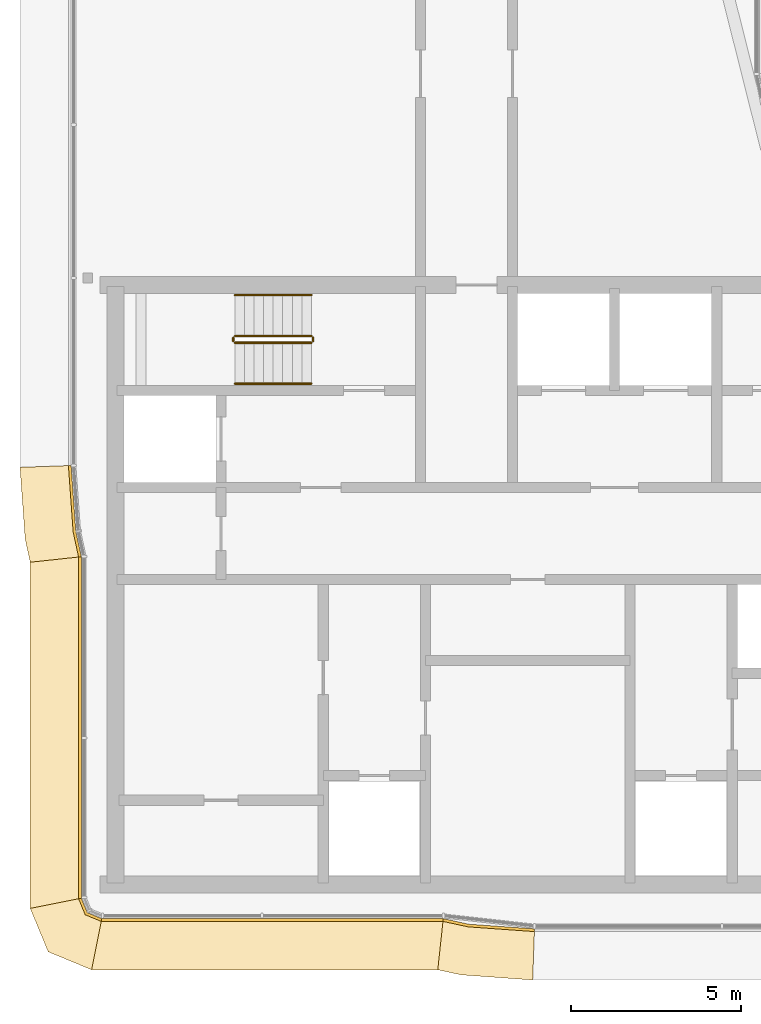
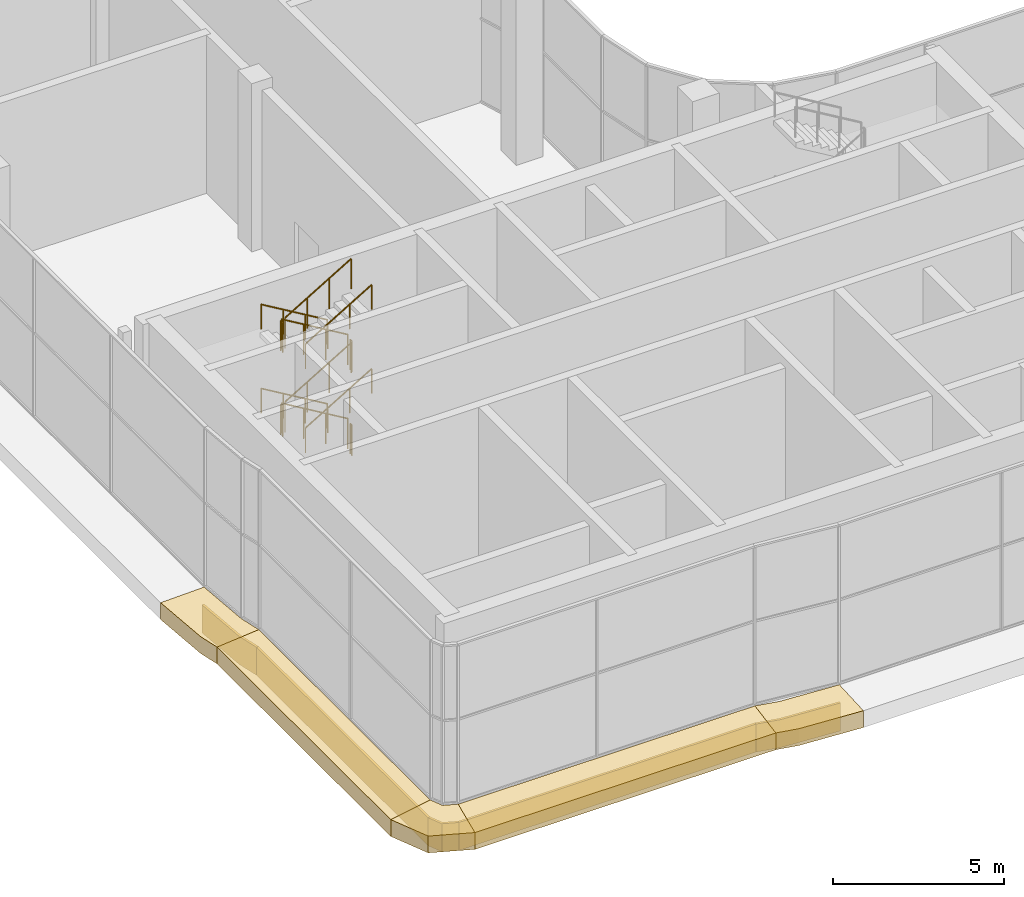
# One storey, part 18 of 23: 12 railings, 10 coverings.
"""IFC4 building model written with IfcOpenShell, lengths in metres."""

import ifcopenshell
import ifcopenshell.guid

model = None  # the IFC model being written
_history = None  # IfcOwnerHistory: only IFC2X3 demands one
_inside = {}  # id of a spatial element -> (the spatial element, [elements in it])
_under = {}  # id of a project, library or spatial element -> (it, [spatial elements below it])
_declared = {}  # id of a project -> (the project, [libraries it declares])
_typed = {}  # id of a type object -> (the type object, [elements of that type])
_made_of = {}  # id of a material, layer set ... -> (it, [elements and type objects made of it])


def new_model(schema):
    """Start an empty IFC model of exactly this schema.

    Asked for "IFC4X3", IfcOpenShell would pick the latest addendum, in which some entities
    have other attributes; the version numbers below select the first issue.
    IFC2X3 requires an IfcOwnerHistory on every rooted entity: one is made here for all.
    """
    global model, _history
    if schema == "IFC4X3":
        model = ifcopenshell.file(schema_version=(4, 3, 0, 0))
    else:
        model = ifcopenshell.file(schema=schema)
    _inside.clear()
    _under.clear()
    _declared.clear()
    _typed.clear()
    _made_of.clear()
    _history = None
    if model.schema == "IFC2X3":
        org = make("IfcOrganization", Name="unknown")
        user = make(
            "IfcPersonAndOrganization",
            ThePerson=make("IfcPerson", FamilyName="unknown"),
            TheOrganization=org,
        )
        app = make(
            "IfcApplication",
            ApplicationDeveloper=org,
            Version="unknown",
            ApplicationFullName="unknown",
            ApplicationIdentifier="unknown",
        )
        _history = make(
            "IfcOwnerHistory",
            OwningUser=user,
            OwningApplication=app,
            ChangeAction="ADDED",
            CreationDate=0,
        )
    return model


def make(cls, **values):
    """One entity of the class cls with the attributes given. An attribute that is None is left unset."""
    return model.create_entity(
        cls, **{name: value for name, value in values.items() if value is not None}
    )


def rooted(cls, **values):
    """An entity with a GlobalId (a new one), such as an element, a storey or a relation."""
    return make(cls, GlobalId=ifcopenshell.guid.new(), OwnerHistory=_history, **values)


def si_unit(unit_type, name, prefix=None):
    """IfcSIUnit, for example si_unit("LENGTHUNIT", "METRE", prefix="MILLI")."""
    return make("IfcSIUnit", UnitType=unit_type, Prefix=prefix, Name=name)


def assignment(units):
    """IfcUnitAssignment: the units of a project."""
    return None if units is None else make("IfcUnitAssignment", Units=units)


def point(xyz):
    """IfcCartesianPoint."""
    return None if xyz is None else make("IfcCartesianPoint", Coordinates=xyz)


def direction(xyz):
    """IfcDirection."""
    return None if xyz is None else make("IfcDirection", DirectionRatios=xyz)


def frame(location, z_axis=None, x_axis=None):
    """IfcAxis2Placement3D, a coordinate frame: its origin and axes. An axis left out is left unset."""
    return make(
        "IfcAxis2Placement3D",
        Location=point(location),
        Axis=direction(z_axis),
        RefDirection=direction(x_axis),
    )


def frame_2d(location, x_axis=None):
    """IfcAxis2Placement2D, a coordinate frame in the plane: its origin and x axis."""
    return make(
        "IfcAxis2Placement2D", Location=point(location), RefDirection=direction(x_axis)
    )


def origin():
    """The frame at (0, 0, 0) with its axes left unset."""
    return frame((0.0, 0.0, 0.0))


def origin_2d():
    """The frame at (0, 0) in the plane with its x axis left unset."""
    return frame_2d((0.0, 0.0))


def place(relative_to, where):
    """IfcLocalPlacement: puts the frame where relative to a parent placement (None: the world)."""
    return make(
        "IfcLocalPlacement", PlacementRelTo=relative_to, RelativePlacement=where
    )


def context(
    kind, dimensions, precision=None, world=None, true_north=None, identifier=None
):
    """IfcGeometricRepresentationContext, for example the 3D "Model" context."""
    return make(
        "IfcGeometricRepresentationContext",
        ContextIdentifier=identifier,
        ContextType=kind,
        CoordinateSpaceDimension=dimensions,
        Precision=precision,
        WorldCoordinateSystem=world,
        TrueNorth=true_north,
    )


def subcontext(parent, identifier, kind, view, scale=None):
    """IfcGeometricRepresentationSubContext, for example "Body" below "Model"."""
    return make(
        "IfcGeometricRepresentationSubContext",
        ContextIdentifier=identifier,
        ContextType=kind,
        ParentContext=parent,
        TargetScale=scale,
        TargetView=view,
    )


def project(units=None, contexts=None):
    """IfcProject with its units and contexts."""
    return rooted(
        "IfcProject",
        Name="project",
        RepresentationContexts=contexts,
        UnitsInContext=assignment(units),
    )


def spatial(cls, under=None, at=None, **own):
    """A site, building, storey or space (cls), placed at a placement, below another one or the project."""
    s = rooted(cls, ObjectPlacement=at, **own)
    if under is not None:
        _under.setdefault(under.id(), (under, []))[1].append(s)
    return s


def polyline(points):
    """IfcPolyline through the points."""
    return make("IfcPolyline", Points=[point(p) for p in points])


def profile(cls, at=None, kind="AREA", **sizes):
    """A parametric profile (cls). Its sizes go by their IFC names, for example OverallWidth=200.0."""
    return make(cls, ProfileType=kind, Position=at, **sizes)


def circle(**sizes):
    """IfcCircleProfileDef."""
    return profile("IfcCircleProfileDef", **sizes)


def outline(outer, holes=None, kind="AREA"):
    """IfcArbitraryClosedProfileDef: a profile drawn as a closed curve; with holes, ...WithVoids."""
    if holes is None:
        return make("IfcArbitraryClosedProfileDef", ProfileType=kind, OuterCurve=outer)
    return make(
        "IfcArbitraryProfileDefWithVoids",
        ProfileType=kind,
        OuterCurve=outer,
        InnerCurves=holes,
    )


def extrude(swept, where, along, depth):
    """IfcExtrudedAreaSolid: the profile swept, set in the frame where, extruded along a direction by depth."""
    return make(
        "IfcExtrudedAreaSolid",
        SweptArea=swept,
        Position=where,
        ExtrudedDirection=direction(along),
        Depth=depth,
    )


def shape(context_of_items, identifier, shape_type, items):
    """IfcShapeRepresentation: the items that make up one representation, for example the "Body"."""
    return make(
        "IfcShapeRepresentation",
        ContextOfItems=context_of_items,
        RepresentationIdentifier=identifier,
        RepresentationType=shape_type,
        Items=items,
    )


def material(Name=None, Category=None):
    """IfcMaterial."""
    return make("IfcMaterial", Name=Name, Category=Category)


def layer(
    of_material, thickness, ventilated=None, Name=None, Category=None, Priority=None
):
    """IfcMaterialLayer: one layer of a wall or slab, of a material (None: an air gap)."""
    return make(
        "IfcMaterialLayer",
        Material=of_material,
        LayerThickness=thickness,
        IsVentilated=ventilated,
        Name=Name,
        Category=Category,
        Priority=Priority,
    )


def layer_set(layers, Name=None):
    """IfcMaterialLayerSet."""
    return make("IfcMaterialLayerSet", MaterialLayers=layers, LayerSetName=Name)


def made_of(thing, what):
    """Note that an element or type object is made of a material, layer set ...; save() writes the relation."""
    if what is not None:
        _made_of.setdefault(what.id(), (what, []))[1].append(thing)
    return thing


def type_object(cls, material=None, **own):
    """A type object (cls), such as IfcWallType, which elements share."""
    return made_of(rooted(cls, **own), material)


def element(
    cls,
    number,
    at=None,
    inside=None,
    cuts=None,
    type_object=None,
    material=None,
    context=None,
    identifier="Body",
    shape_type=None,
    held_by="IfcProductDefinitionShape",
    body=None,
    shapes=None,
    **own,
):
    """One element of the class cls, such as IfcWall. Its Tag is "e" and its number.

    at: its placement. inside: the storey or other place that contains it. cuts: it is an
    opening in that element (IfcRelVoidsElement). A single representation is given by context,
    identifier, shape_type and body (its items); several are given by shapes. held_by: the class
    of the entity that holds the representations. save() writes the other relations.
    """
    e = rooted(cls, Tag="e%d" % number, ObjectPlacement=at, **own)
    if body is not None:
        shapes = [shape(context, identifier, shape_type, body)]
    if shapes is not None:
        e.Representation = make(held_by, Representations=shapes)
    if inside is not None:
        _inside.setdefault(inside.id(), (inside, []))[1].append(e)
    if cuts is not None:
        rooted(
            "IfcRelVoidsElement", RelatingBuildingElement=cuts, RelatedOpeningElement=e
        )
    if type_object is not None:
        _typed.setdefault(type_object.id(), (type_object, []))[1].append(e)
    return made_of(e, material)


def aggregate(whole, parts):
    """IfcRelAggregates: a whole, such as a stair, and the parts it consists of."""
    return rooted("IfcRelAggregates", RelatingObject=whole, RelatedObjects=parts)


def save(model, path):
    """Write the relations noted so far, then the file.

    IfcRelAggregates (storeys below a building ...), IfcRelContainedInSpatialStructure (elements
    in a storey), IfcRelDefinesByType, IfcRelAssociatesMaterial and IfcRelDeclares: one each for
    every whole, place, type object, material and project.
    """
    for whole, parts in _under.values():
        aggregate(whole, parts)
    for where, things in _inside.values():
        rooted(
            "IfcRelContainedInSpatialStructure",
            RelatedElements=things,
            RelatingStructure=where,
        )
    for kind, things in _typed.values():
        rooted("IfcRelDefinesByType", RelatedObjects=things, RelatingType=kind)
    for what, things in _made_of.values():
        rooted("IfcRelAssociatesMaterial", RelatedObjects=things, RelatingMaterial=what)
    for by, libraries in _declared.values():
        rooted("IfcRelDeclares", RelatingContext=by, RelatedDefinitions=libraries)
    model.write(path)


model = new_model("IFC4")

# Units and contexts
model_context = context("Model", 3, precision=1e-05, world=origin(), true_north=direction((0.0, 1.0)))
body_context = subcontext(model_context, "Body", "Model", "MODEL_VIEW")
ifc_project = project(units=[si_unit("LENGTHUNIT", "METRE"), si_unit("AREAUNIT", "SQUARE_METRE"), si_unit("VOLUMEUNIT", "CUBIC_METRE"), si_unit("PLANEANGLEUNIT", "RADIAN"), si_unit("MASSUNIT", "GRAM", prefix="KILO")], contexts=[model_context])

# Site, building, storey
site_placement = place(None, origin())
site = spatial("IfcSite", under=ifc_project, at=site_placement, CompositionType="ELEMENT")
building_placement = place(site_placement, origin())
building = spatial("IfcBuilding", under=site, at=building_placement, Name="Ogive Portal Towers", CompositionType="ELEMENT")
storey_placement = place(building_placement, frame((0.0, 0.0, 260.89990234375)))
storey = spatial("IfcBuildingStorey", under=building, at=storey_placement, Name="L64", CompositionType="ELEMENT", Elevation=260.89990234375)

# Railings
ifc_material_1 = material(Name="Stainless steel balustrade", Category="steel")
railing_type_1 = type_object("IfcRailingType", Name="INT-GUARD", PredefinedType="GUARDRAIL", material=ifc_material_1)
railing_1_placement = place(storey_placement, frame((37.449951171875, 37.800048828125, 0.166748046875)))
element("IfcRailing", 1, at=railing_1_placement, inside=storey, type_object=railing_type_1, Name="L64 ST-A1 stair guard 1", PredefinedType="GUARDRAIL", context=body_context, shape_type="SweptSolid", body=[
    extrude(circle(Radius=0.02392578125, at=origin_2d()), frame((0.0, 0.0, 1.076171875), z_axis=(-0.859305625298, 0.0, 0.511462454469), x_axis=(0.0, -1.0, 0.0)), (0.0, 0.0, 1.0), 2.606689453125),
    extrude(circle(Radius=0.02099609375, at=origin_2d()), origin(), (0.0, 0.0, 1.0), 1.052001953125),
    extrude(circle(Radius=0.02099609375, at=origin_2d()), frame((-0.74658203125, 0.0, 0.4443359375)), (0.0, 0.0, 1.0), 1.052001953125),
    extrude(circle(Radius=0.02099609375, at=origin_2d()), frame((-1.493408203125, 0.0, 0.888916015625)), (0.0, 0.0, 1.0), 1.052001953125),
    extrude(circle(Radius=0.02099609375, at=origin_2d()), frame((-2.239990234375, 0.0, 1.333251953125)), (0.0, 0.0, 1.0), 1.052001953125),
])
railing_2_placement = place(storey_placement, frame((35.159912109375, 37.75, 1.5)))
element("IfcRailing", 2, at=railing_2_placement, inside=storey, type_object=railing_type_1, Name="L64 ST-A1 stair guard 2", PredefinedType="GUARDRAIL", context=body_context, shape_type="SweptSolid", body=[
    extrude(circle(Radius=0.02392578125, at=origin_2d()), frame((0.0, 0.0, 1.076171875), z_axis=(0.0, -1.0, 0.0), x_axis=(1.0, 0.0, 0.0)), (0.0, 0.0, 1.0), 0.10009765625),
    extrude(circle(Radius=0.02099609375, at=origin_2d()), origin(), (0.0, 0.0, 1.0), 1.052001953125),
    extrude(circle(Radius=0.02099609375, at=origin_2d()), frame((0.0, -0.10009765625, 0.0)), (0.0, 0.0, 1.0), 1.052001953125),
])
railing_3_placement = place(storey_placement, frame((35.2099609375, 37.60009765625, 1.666748046875)))
element("IfcRailing", 3, at=railing_3_placement, inside=storey, type_object=railing_type_1, Name="L64 ST-A1 stair guard 3", PredefinedType="GUARDRAIL", context=body_context, shape_type="SweptSolid", body=[
    extrude(circle(Radius=0.02392578125, at=origin_2d()), frame((0.0, 0.0, 1.076171875), z_axis=(0.859305625298, 0.0, 0.511462454469), x_axis=(0.0, 1.0, 0.0)), (0.0, 0.0, 1.0), 2.606689453125),
    extrude(circle(Radius=0.02099609375, at=origin_2d()), origin(), (0.0, 0.0, 1.0), 1.052001953125),
    extrude(circle(Radius=0.02099609375, at=origin_2d()), frame((0.74658203125, 0.0, 0.4443359375)), (0.0, 0.0, 1.0), 1.052001953125),
    extrude(circle(Radius=0.02099609375, at=origin_2d()), frame((1.493408203125, 0.0, 0.888916015625)), (0.0, 0.0, 1.0), 1.052001953125),
    extrude(circle(Radius=0.02099609375, at=origin_2d()), frame((2.239990234375, 0.0, 1.333251953125)), (0.0, 0.0, 1.0), 1.052001953125),
])
railing_4_placement = place(storey_placement, frame((37.5, 37.75, 3.0)))
element("IfcRailing", 4, at=railing_4_placement, inside=storey, type_object=railing_type_1, Name="L64 ST-A1 stair guard 4", PredefinedType="GUARDRAIL", context=body_context, shape_type="SweptSolid", body=[
    extrude(circle(Radius=0.02392578125, at=origin_2d()), frame((0.0, 0.0, 1.076171875), z_axis=(0.0, -1.0, 0.0), x_axis=(1.0, 0.0, 0.0)), (0.0, 0.0, 1.0), 0.10009765625),
    extrude(circle(Radius=0.02099609375, at=origin_2d()), origin(), (0.0, 0.0, 1.0), 1.052001953125),
    extrude(circle(Radius=0.02099609375, at=origin_2d()), frame((0.0, -0.10009765625, 0.0)), (0.0, 0.0, 1.0), 1.052001953125),
])
railing_5_placement = place(storey_placement, frame((37.449951171875, 37.800048828125, 3.166748046875)))
element("IfcRailing", 5, at=railing_5_placement, inside=storey, type_object=railing_type_1, Name="L64 ST-A1 stair guard 5", PredefinedType="GUARDRAIL", context=body_context, shape_type="SweptSolid", body=[
    extrude(circle(Radius=0.02392578125, at=origin_2d()), frame((0.0, 0.0, 1.076171875), z_axis=(-0.859305625298, 0.0, 0.511462454469), x_axis=(0.0, -1.0, 0.0)), (0.0, 0.0, 1.0), 2.606689453125),
    extrude(circle(Radius=0.02099609375, at=origin_2d()), origin(), (0.0, 0.0, 1.0), 1.052001953125),
    extrude(circle(Radius=0.02099609375, at=origin_2d()), frame((-0.74658203125, 0.0, 0.4443359375)), (0.0, 0.0, 1.0), 1.052001953125),
    extrude(circle(Radius=0.02099609375, at=origin_2d()), frame((-1.493408203125, 0.0, 0.888916015625)), (0.0, 0.0, 1.0), 1.052001953125),
    extrude(circle(Radius=0.02099609375, at=origin_2d()), frame((-2.239990234375, 0.0, 1.333251953125)), (0.0, 0.0, 1.0), 1.052001953125),
])
railing_6_placement = place(storey_placement, frame((35.159912109375, 37.75, 4.5)))
element("IfcRailing", 6, at=railing_6_placement, inside=storey, type_object=railing_type_1, Name="L64 ST-A1 stair guard 6", PredefinedType="GUARDRAIL", context=body_context, shape_type="SweptSolid", body=[
    extrude(circle(Radius=0.02392578125, at=origin_2d()), frame((0.0, 0.0, 1.076171875), z_axis=(0.0, -1.0, 0.0), x_axis=(1.0, 0.0, 0.0)), (0.0, 0.0, 1.0), 0.10009765625),
    extrude(circle(Radius=0.02099609375, at=origin_2d()), origin(), (0.0, 0.0, 1.0), 1.052001953125),
    extrude(circle(Radius=0.02099609375, at=origin_2d()), frame((0.0, -0.10009765625, 0.0)), (0.0, 0.0, 1.0), 1.052001953125),
])
railing_7_placement = place(storey_placement, frame((35.2099609375, 37.60009765625, 4.666748046875)))
element("IfcRailing", 7, at=railing_7_placement, inside=storey, type_object=railing_type_1, Name="L64 ST-A1 stair guard 7", PredefinedType="GUARDRAIL", context=body_context, shape_type="SweptSolid", body=[
    extrude(circle(Radius=0.02392578125, at=origin_2d()), frame((0.0, 0.0, 1.076171875), z_axis=(0.859305625298, 0.0, 0.511462454469), x_axis=(0.0, 1.0, 0.0)), (0.0, 0.0, 1.0), 2.606689453125),
    extrude(circle(Radius=0.02099609375, at=origin_2d()), origin(), (0.0, 0.0, 1.0), 1.052001953125),
    extrude(circle(Radius=0.02099609375, at=origin_2d()), frame((0.74658203125, 0.0, 0.4443359375)), (0.0, 0.0, 1.0), 1.052001953125),
    extrude(circle(Radius=0.02099609375, at=origin_2d()), frame((1.493408203125, 0.0, 0.888916015625)), (0.0, 0.0, 1.0), 1.052001953125),
    extrude(circle(Radius=0.02099609375, at=origin_2d()), frame((2.239990234375, 0.0, 1.333251953125)), (0.0, 0.0, 1.0), 1.052001953125),
])
railing_8_placement = place(storey_placement, frame((37.5, 37.75, 0.0)))
element("IfcRailing", 8, at=railing_8_placement, inside=storey, type_object=railing_type_1, Name="L64 ST-A1 stair guard 8", PredefinedType="GUARDRAIL", context=body_context, shape_type="SweptSolid", body=[
    extrude(circle(Radius=0.02392578125, at=origin_2d()), frame((0.0, 0.0, 1.076171875), z_axis=(0.0, -1.0, 0.0), x_axis=(1.0, 0.0, 0.0)), (0.0, 0.0, 1.0), 0.10009765625),
    extrude(circle(Radius=0.02099609375, at=origin_2d()), origin(), (0.0, 0.0, 1.0), 1.052001953125),
    extrude(circle(Radius=0.02099609375, at=origin_2d()), frame((0.0, -0.10009765625, 0.0)), (0.0, 0.0, 1.0), 1.052001953125),
])
ifc_material_2 = material(Name="Stainless steel handrail", Category="steel")
railing_type_2 = type_object("IfcRailingType", Name="INT-HANDRAIL", PredefinedType="HANDRAIL", material=ifc_material_2)
railing_9_placement = place(storey_placement, frame((37.449951171875, 39.0, 0.166748046875)))
element("IfcRailing", 9, at=railing_9_placement, inside=storey, type_object=railing_type_2, Name="L64 ST-A1 stair handrail 1", PredefinedType="HANDRAIL", context=body_context, shape_type="SweptSolid", body=[
    extrude(circle(Radius=0.02392578125, at=origin_2d()), frame((0.0, 0.0, 0.8759765625), z_axis=(-0.859305625298, 0.0, 0.511462454469), x_axis=(0.0, -1.0, 0.0)), (0.0, 0.0, 1.0), 2.606689453125),
    extrude(circle(Radius=0.02099609375, at=origin_2d()), origin(), (0.0, 0.0, 1.0), 0.851806640625),
    extrude(circle(Radius=0.02099609375, at=origin_2d()), frame((-0.74658203125, 0.0, 0.4443359375)), (0.0, 0.0, 1.0), 0.851806640625),
    extrude(circle(Radius=0.02099609375, at=origin_2d()), frame((-1.493408203125, 0.0, 0.888916015625)), (0.0, 0.0, 1.0), 0.851806640625),
    extrude(circle(Radius=0.02099609375, at=origin_2d()), frame((-2.239990234375, 0.0, 1.333251953125)), (0.0, 0.0, 1.0), 0.851806640625),
])
railing_10_placement = place(storey_placement, frame((35.2099609375, 36.39990234375, 1.666748046875)))
element("IfcRailing", 10, at=railing_10_placement, inside=storey, type_object=railing_type_2, Name="L64 ST-A1 stair handrail 2", PredefinedType="HANDRAIL", context=body_context, shape_type="SweptSolid", body=[
    extrude(circle(Radius=0.02392578125, at=origin_2d()), frame((0.0, 0.0, 0.8759765625), z_axis=(0.859305625298, 0.0, 0.511462454469), x_axis=(0.0, 1.0, 0.0)), (0.0, 0.0, 1.0), 2.606689453125),
    extrude(circle(Radius=0.02099609375, at=origin_2d()), origin(), (0.0, 0.0, 1.0), 0.851806640625),
    extrude(circle(Radius=0.02099609375, at=origin_2d()), frame((0.74658203125, 0.0, 0.4443359375)), (0.0, 0.0, 1.0), 0.851806640625),
    extrude(circle(Radius=0.02099609375, at=origin_2d()), frame((1.493408203125, 0.0, 0.888916015625)), (0.0, 0.0, 1.0), 0.851806640625),
    extrude(circle(Radius=0.02099609375, at=origin_2d()), frame((2.239990234375, 0.0, 1.333251953125)), (0.0, 0.0, 1.0), 0.851806640625),
])
railing_11_placement = place(storey_placement, frame((37.449951171875, 39.0, 3.166748046875)))
element("IfcRailing", 11, at=railing_11_placement, inside=storey, type_object=railing_type_2, Name="L64 ST-A1 stair handrail 3", PredefinedType="HANDRAIL", context=body_context, shape_type="SweptSolid", body=[
    extrude(circle(Radius=0.02392578125, at=origin_2d()), frame((0.0, 0.0, 0.8759765625), z_axis=(-0.859305625298, 0.0, 0.511462454469), x_axis=(0.0, -1.0, 0.0)), (0.0, 0.0, 1.0), 2.606689453125),
    extrude(circle(Radius=0.02099609375, at=origin_2d()), origin(), (0.0, 0.0, 1.0), 0.851806640625),
    extrude(circle(Radius=0.02099609375, at=origin_2d()), frame((-0.74658203125, 0.0, 0.4443359375)), (0.0, 0.0, 1.0), 0.851806640625),
    extrude(circle(Radius=0.02099609375, at=origin_2d()), frame((-1.493408203125, 0.0, 0.888916015625)), (0.0, 0.0, 1.0), 0.851806640625),
    extrude(circle(Radius=0.02099609375, at=origin_2d()), frame((-2.239990234375, 0.0, 1.333251953125)), (0.0, 0.0, 1.0), 0.851806640625),
])
railing_12_placement = place(storey_placement, frame((35.2099609375, 36.39990234375, 4.666748046875)))
element("IfcRailing", 12, at=railing_12_placement, inside=storey, type_object=railing_type_2, Name="L64 ST-A1 stair handrail 4", PredefinedType="HANDRAIL", context=body_context, shape_type="SweptSolid", body=[
    extrude(circle(Radius=0.02392578125, at=origin_2d()), frame((0.0, 0.0, 0.8759765625), z_axis=(0.859305625298, 0.0, 0.511462454469), x_axis=(0.0, 1.0, 0.0)), (0.0, 0.0, 1.0), 2.606689453125),
    extrude(circle(Radius=0.02099609375, at=origin_2d()), origin(), (0.0, 0.0, 1.0), 0.851806640625),
    extrude(circle(Radius=0.02099609375, at=origin_2d()), frame((0.74658203125, 0.0, 0.4443359375)), (0.0, 0.0, 1.0), 0.851806640625),
    extrude(circle(Radius=0.02099609375, at=origin_2d()), frame((1.493408203125, 0.0, 0.888916015625)), (0.0, 0.0, 1.0), 0.851806640625),
    extrude(circle(Radius=0.02099609375, at=origin_2d()), frame((2.239990234375, 0.0, 1.333251953125)), (0.0, 0.0, 1.0), 0.851806640625),
])

# Coverings
ifc_material_3 = material(Name="Limestone cladding on lightweight block wall", Category="masonry")
ifc_layer_1 = layer(ifc_material_3, 0.080078125)
ifc_layer_set_1 = layer_set([ifc_layer_1], Name="STONE SPANDREL 80")
covering_type_1 = type_object("IfcCoveringType", Name="STONE SPANDREL 80", PredefinedType="CLADDING", material=ifc_layer_set_1)
covering_1_placement = place(storey_placement, frame((0.0, 0.0, -1.599853515625)))
element("IfcCovering", 13, at=covering_1_placement, inside=storey, type_object=covering_type_1, Name="Stone spandrel A1-F01", PredefinedType="CLADDING", context=body_context, shape_type="SweptSolid", body=[
    extrude(outline(polyline([(30.699951171875, 31.32177734375), (30.699951171875, 21.300048828125), (30.6201171875, 21.2841796875), (30.6201171875, 31.313232421875), (30.699951171875, 31.32177734375)])), origin(), (0.0, 0.0, 1.0), 1.0),
])
covering_2_placement = place(storey_placement, frame((0.0, 0.0, -1.599853515625)))
element("IfcCovering", 14, at=covering_2_placement, inside=storey, type_object=covering_type_1, Name="Stone spandrel A1-F02", PredefinedType="CLADDING", context=body_context, shape_type="SweptSolid", body=[
    extrude(outline(polyline([(30.699951171875, 21.300048828125), (30.875732421875, 20.875732421875), (31.300048828125, 20.699951171875), (31.2841796875, 20.6201171875), (30.814453125, 20.814453125), (30.6201171875, 21.2841796875), (30.699951171875, 21.300048828125)])), origin(), (0.0, 0.0, 1.0), 1.0),
])
covering_3_placement = place(storey_placement, frame((0.0, 0.0, -1.599853515625)))
element("IfcCovering", 15, at=covering_3_placement, inside=storey, type_object=covering_type_1, Name="Stone spandrel A1-F03", PredefinedType="CLADDING", context=body_context, shape_type="SweptSolid", body=[
    extrude(outline(polyline([(31.300048828125, 20.699951171875), (41.32177734375, 20.699951171875), (41.313232421875, 20.6201171875), (31.2841796875, 20.6201171875), (31.300048828125, 20.699951171875)])), origin(), (0.0, 0.0, 1.0), 1.0),
])
covering_4_placement = place(storey_placement, frame((0.0, 0.0, -1.599853515625)))
element("IfcCovering", 16, at=covering_4_placement, inside=storey, type_object=covering_type_1, Name="Stone spandrel A1-F04", PredefinedType="CLADDING", context=body_context, shape_type="SweptSolid", body=[
    extrude(outline(polyline([(41.32177734375, 20.699951171875), (42.064453125, 20.538330078125), (44.0, 20.39990234375), (43.9970703125, 20.320068359375), (42.05322265625, 20.458984375), (41.313232421875, 20.6201171875), (41.32177734375, 20.699951171875)])), origin(), (0.0, 0.0, 1.0), 1.0),
])
covering_5_placement = place(storey_placement, frame((0.0, 0.0, -1.599853515625)))
element("IfcCovering", 17, at=covering_5_placement, inside=storey, type_object=covering_type_1, Name="Stone spandrel A1-F14", PredefinedType="CLADDING", context=body_context, shape_type="SweptSolid", body=[
    extrude(outline(polyline([(30.39990234375, 34.0), (30.538330078125, 32.064453125), (30.699951171875, 31.32177734375), (30.6201171875, 31.313232421875), (30.458984375, 32.05322265625), (30.320068359375, 33.9970703125), (30.39990234375, 34.0)])), origin(), (0.0, 0.0, 1.0), 1.0),
])
ifc_layer_2 = layer(ifc_material_3, 0.60009765625)
ifc_layer_set_2 = layer_set([ifc_layer_2], Name="SUNSHADE LIP 600")
covering_type_2 = type_object("IfcCoveringType", Name="SUNSHADE LIP 600", PredefinedType="CLADDING", material=ifc_layer_set_2)
covering_6_placement = place(storey_placement, frame((0.0, 0.0, -0.599853515625)))
element("IfcCovering", 18, at=covering_6_placement, inside=storey, type_object=covering_type_2, Name="Sunshade lip A1-F01", PredefinedType="CLADDING", context=body_context, shape_type="SweptSolid", body=[
    extrude(outline(polyline([(30.699951171875, 31.32177734375), (30.699951171875, 21.300048828125), (29.199951171875, 21.001708984375), (29.199951171875, 31.160400390625), (30.699951171875, 31.32177734375)])), origin(), (0.0, 0.0, 1.0), 0.599853515625),
])
covering_7_placement = place(storey_placement, frame((0.0, 0.0, -0.599853515625)))
element("IfcCovering", 19, at=covering_7_placement, inside=storey, type_object=covering_type_2, Name="Sunshade lip A1-F02", PredefinedType="CLADDING", context=body_context, shape_type="SweptSolid", body=[
    extrude(outline(polyline([(30.699951171875, 21.300048828125), (30.875732421875, 20.875732421875), (31.300048828125, 20.699951171875), (31.001708984375, 19.199951171875), (29.727783203125, 19.727783203125), (29.199951171875, 21.001708984375), (30.699951171875, 21.300048828125)])), origin(), (0.0, 0.0, 1.0), 0.599853515625),
])
covering_8_placement = place(storey_placement, frame((0.0, 0.0, -0.599853515625)))
element("IfcCovering", 20, at=covering_8_placement, inside=storey, type_object=covering_type_2, Name="Sunshade lip A1-F03", PredefinedType="CLADDING", context=body_context, shape_type="SweptSolid", body=[
    extrude(outline(polyline([(31.300048828125, 20.699951171875), (41.32177734375, 20.699951171875), (41.160400390625, 19.199951171875), (31.001708984375, 19.199951171875), (31.300048828125, 20.699951171875)])), origin(), (0.0, 0.0, 1.0), 0.599853515625),
])
covering_9_placement = place(storey_placement, frame((0.0, 0.0, -0.599853515625)))
element("IfcCovering", 21, at=covering_9_placement, inside=storey, type_object=covering_type_2, Name="Sunshade lip A1-F04", PredefinedType="CLADDING", context=body_context, shape_type="SweptSolid", body=[
    extrude(outline(polyline([(41.32177734375, 20.699951171875), (42.064453125, 20.538330078125), (44.0, 20.39990234375), (43.946533203125, 18.89990234375), (41.8505859375, 19.0498046875), (41.160400390625, 19.199951171875), (41.32177734375, 20.699951171875)])), origin(), (0.0, 0.0, 1.0), 0.599853515625),
])
covering_10_placement = place(storey_placement, frame((0.0, 0.0, -0.599853515625)))
element("IfcCovering", 22, at=covering_10_placement, inside=storey, type_object=covering_type_2, Name="Sunshade lip A1-F14", PredefinedType="CLADDING", context=body_context, shape_type="SweptSolid", body=[
    extrude(outline(polyline([(30.39990234375, 34.0), (30.538330078125, 32.064453125), (30.699951171875, 31.32177734375), (29.199951171875, 31.160400390625), (29.0498046875, 31.8505859375), (28.89990234375, 33.946533203125), (30.39990234375, 34.0)])), origin(), (0.0, 0.0, 1.0), 0.599853515625),
])

save(model, "model.ifc")
